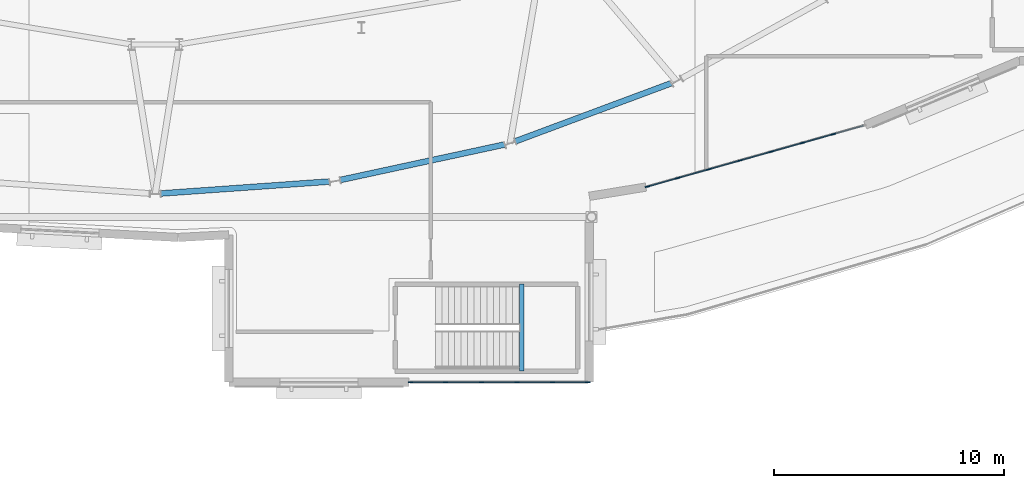
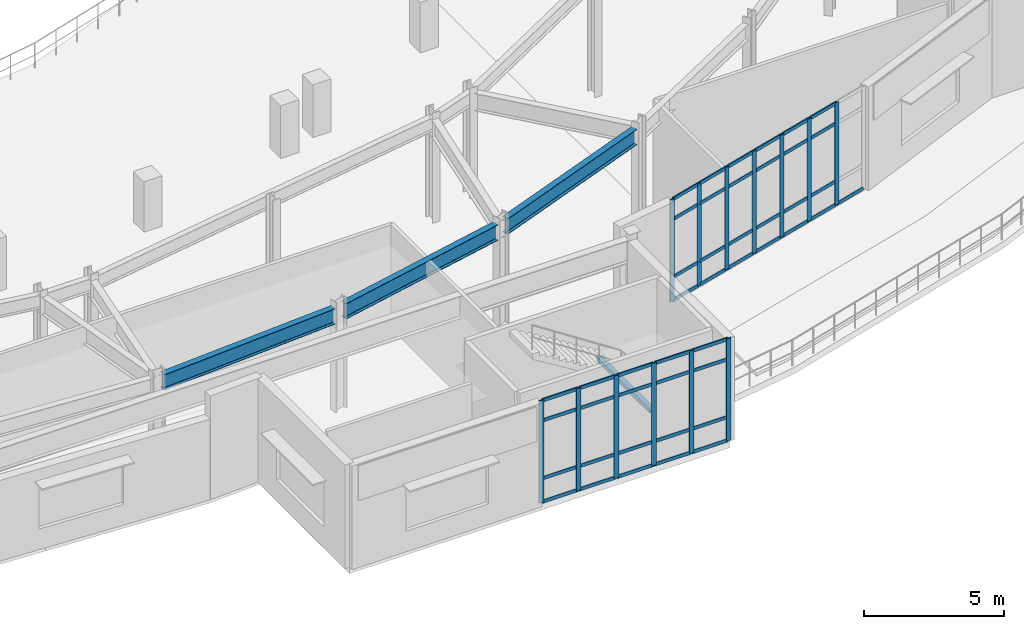
# One storey, part 33 of 84: 58 members, 4 beams, 2 elements without a shape of their own.
"""IFC4 building model written with IfcOpenShell, lengths in metres."""

from ifc_helpers import new_model, si_unit, direction, frame, origin, origin_2d, place, context, subcontext, project, spatial, rectangle, hollow_rectangle, i_section, extrude, material, material_profile, profile_set, type_object, element, aggregate, save


model = new_model("IFC4")

# Units and contexts
model_context = context("Model", 3, precision=1e-05, world=origin(), true_north=direction((0.0, 1.0)))
body_context = subcontext(model_context, "Body", "Model", "MODEL_VIEW")
ifc_project = project(units=[si_unit("LENGTHUNIT", "METRE"), si_unit("AREAUNIT", "SQUARE_METRE"), si_unit("VOLUMEUNIT", "CUBIC_METRE"), si_unit("PLANEANGLEUNIT", "RADIAN"), si_unit("MASSUNIT", "GRAM", prefix="KILO")], contexts=[model_context])

# Site, building, storey
site_placement = place(None, origin())
site = spatial("IfcSite", under=ifc_project, at=site_placement, CompositionType="ELEMENT")
building_placement = place(site_placement, origin())
building = spatial("IfcBuilding", under=site, at=building_placement, Name="Glasvene Arena", CompositionType="ELEMENT")
storey_placement = place(building_placement, frame((0.0, 0.0, 10.199951171875)))
storey = spatial("IfcBuildingStorey", under=building, at=storey_placement, Name="L02", CompositionType="ELEMENT", Elevation=10.199951171875)

# Beams
ifc_material_1 = material(Name="Steel S355J2", Category="steel")
ifc_material_profile_1 = material_profile(ifc_material_1, i_section(OverallWidth=0.253662109375, OverallDepth=0.68359375, WebThickness=0.012451171875, FlangeThickness=0.01904296875, FilletRadius=0.01513671875, at=origin_2d()), Name="UKB 686x254x140")
ifc_profile_set_1 = profile_set([ifc_material_profile_1], Name="Steel S355J2")
beam_type_1 = type_object("IfcBeamType", Name="BM-GIRD-686", PredefinedType="BEAM", material=ifc_profile_set_1)
beam_1_placement = place(storey_placement, frame((92.239501953125, 28.01708984375, 4.178466796875), z_axis=(0.997501616337, 0.070643650844, 0.0), x_axis=(-0.070643650844, 0.997501616337, 0.0)))
element("IfcBeam", 1, at=beam_1_placement, inside=storey, type_object=beam_type_1, Name="Bowl ring chord beam L02-31", PredefinedType="BEAM", context=body_context, shape_type="SweptSolid", body=[
    extrude(i_section(OverallWidth=0.253662109375, OverallDepth=0.68359375, WebThickness=0.012451171875, FlangeThickness=0.01904296875, FilletRadius=0.01513671875, at=origin_2d()), origin(), (0.0, 0.0, 1.0), 7.361083984375),
])
beam_2_placement = place(storey_placement, frame((100.056396484375, 28.604736328125, 4.178466796875), z_axis=(0.97744150895, 0.211206289161, 0.0), x_axis=(-0.211206289161, 0.97744150895, 0.0)))
element("IfcBeam", 2, at=beam_2_placement, inside=storey, type_object=beam_type_1, Name="Bowl ring chord beam L02-32", PredefinedType="BEAM", context=body_context, shape_type="SweptSolid", body=[
    extrude(i_section(OverallWidth=0.253662109375, OverallDepth=0.68359375, WebThickness=0.012451171875, FlangeThickness=0.01904296875, FilletRadius=0.01513671875, at=origin_2d()), origin(), (0.0, 0.0, 1.0), 7.3251953125),
])
beam_3_placement = place(storey_placement, frame((107.67578125, 30.286376953125, 4.178466796875), z_axis=(0.937013245498, 0.349293827259, 0.0), x_axis=(-0.349293827259, 0.937013245498, 0.0)))
element("IfcBeam", 3, at=beam_3_placement, inside=storey, type_object=beam_type_1, Name="Bowl ring chord beam L02-33", PredefinedType="BEAM", context=body_context, shape_type="SweptSolid", body=[
    extrude(i_section(OverallWidth=0.253662109375, OverallDepth=0.68359375, WebThickness=0.012451171875, FlangeThickness=0.01904296875, FilletRadius=0.01513671875, at=origin_2d()), origin(), (0.0, 0.0, 1.0), 7.255859375),
])
ifc_material_profile_2 = material_profile(ifc_material_1, hollow_rectangle(XDim=0.199951171875, YDim=0.199951171875, WallThickness=0.010009765625, at=origin_2d()), Name="SHS 200x200x10.0")
ifc_profile_set_2 = profile_set([ifc_material_profile_2], Name="Steel S355J2")
beam_type_2 = type_object("IfcBeamType", Name="BM-LINTEL-200", PredefinedType="LINTEL", material=ifc_profile_set_2)
beam_4_placement = place(storey_placement, frame((107.9599609375, 20.280029296875, 2.080078125), z_axis=(0.0, 1.0, 0.0), x_axis=(-1.0, 0.0, 0.0)))
element("IfcBeam", 4, at=beam_4_placement, inside=storey, type_object=beam_type_2, Name="Stair half-landing support beam ST-09-L02", PredefinedType="LINTEL", context=body_context, shape_type="SweptSolid", body=[
    extrude(hollow_rectangle(XDim=0.199951171875, YDim=0.199951171875, WallThickness=0.010009765625, at=origin_2d()), origin(), (0.0, 0.0, 1.0), 3.7900390625),
])

# Curtain wall, members
ifc_material_2 = material(Name="Low-emissivity laminated double glazing", Category="glass")
curtain_wall_type_1 = type_object("IfcCurtainWallType", Name="CW-FAC-L02-985x446", PredefinedType="USERDEFINED", material=ifc_material_2)
curtain_wall_1_placement = place(storey_placement, frame((122.87939453125, 30.98291015625, 0.0)))
curtain_wall_1 = element("IfcCurtainWall", 5, at=curtain_wall_1_placement, inside=storey, type_object=curtain_wall_type_1, Name="Unitised curtain wall CW-F-L02-180-1181-296-46", ObjectType="CURTAIN WALL", PredefinedType="USERDEFINED")
ifc_material_3 = material(Name="Anodised architectural aluminium", Category="aluminium")
ifc_material_profile_3 = material_profile(ifc_material_3, rectangle(XDim=0.050048828125, YDim=0.199951171875, at=origin_2d()), Name="ALU MULLION 50x200")
ifc_profile_set_3 = profile_set([ifc_material_profile_3], Name="Anodised architectural aluminium")
member_type_1 = type_object("IfcMemberType", Name="CW-MUL-180", PredefinedType="MULLION", material=ifc_profile_set_3)
member_1_placement = place(storey_placement, frame((121.525634765625, 30.600830078125, 0.06005859375), z_axis=(0.0, 0.0, 1.0), x_axis=(0.271597167979, -0.962411023599, 0.0)))
member_1 = element("IfcMember", 6, at=member_1_placement, type_object=member_type_1, Name="CW-026 mullion 2", PredefinedType="MULLION", context=body_context, shape_type="SweptSolid", body=[
    extrude(rectangle(XDim=0.050048828125, YDim=0.199951171875, at=origin_2d()), origin(), (0.0, 0.0, 1.0), 4.4599609375),
])
member_2_placement = place(storey_placement, frame((120.171875, 30.21875, 0.06005859375), z_axis=(0.0, 0.0, 1.0), x_axis=(0.271597167979, -0.962411023599, 0.0)))
member_2 = element("IfcMember", 7, at=member_2_placement, type_object=member_type_1, Name="CW-026 mullion 3", PredefinedType="MULLION", context=body_context, shape_type="SweptSolid", body=[
    extrude(rectangle(XDim=0.050048828125, YDim=0.199951171875, at=origin_2d()), origin(), (0.0, 0.0, 1.0), 4.4599609375),
])
member_3_placement = place(storey_placement, frame((118.818115234375, 29.836669921875, 0.06005859375), z_axis=(0.0, 0.0, 1.0), x_axis=(0.271597167979, -0.962411023599, 0.0)))
member_3 = element("IfcMember", 8, at=member_3_placement, type_object=member_type_1, Name="CW-026 mullion 4", PredefinedType="MULLION", context=body_context, shape_type="SweptSolid", body=[
    extrude(rectangle(XDim=0.050048828125, YDim=0.199951171875, at=origin_2d()), origin(), (0.0, 0.0, 1.0), 4.4599609375),
])
member_4_placement = place(storey_placement, frame((117.464111328125, 29.45458984375, 0.06005859375), z_axis=(0.0, 0.0, 1.0), x_axis=(0.271597167979, -0.962411023599, 0.0)))
member_4 = element("IfcMember", 9, at=member_4_placement, type_object=member_type_1, Name="CW-026 mullion 5", PredefinedType="MULLION", context=body_context, shape_type="SweptSolid", body=[
    extrude(rectangle(XDim=0.050048828125, YDim=0.199951171875, at=origin_2d()), origin(), (0.0, 0.0, 1.0), 4.4599609375),
])
member_5_placement = place(storey_placement, frame((116.1103515625, 29.072509765625, 0.06005859375), z_axis=(0.0, 0.0, 1.0), x_axis=(0.271597167979, -0.962411023599, 0.0)))
member_5 = element("IfcMember", 10, at=member_5_placement, type_object=member_type_1, Name="CW-026 mullion 6", PredefinedType="MULLION", context=body_context, shape_type="SweptSolid", body=[
    extrude(rectangle(XDim=0.050048828125, YDim=0.199951171875, at=origin_2d()), origin(), (0.0, 0.0, 1.0), 4.4599609375),
])
member_6_placement = place(storey_placement, frame((114.756591796875, 28.690673828125, 0.06005859375), z_axis=(0.0, 0.0, 1.0), x_axis=(0.271597167979, -0.962411023599, 0.0)))
member_6 = element("IfcMember", 11, at=member_6_placement, type_object=member_type_1, Name="CW-026 mullion 7", PredefinedType="MULLION", context=body_context, shape_type="SweptSolid", body=[
    extrude(rectangle(XDim=0.050048828125, YDim=0.199951171875, at=origin_2d()), origin(), (0.0, 0.0, 1.0), 4.4599609375),
])
member_7_placement = place(storey_placement, frame((113.4267578125, 28.315185546875, 0.06005859375), z_axis=(0.0, 0.0, 1.0), x_axis=(0.271597167979, -0.962411023599, 0.0)))
member_7 = element("IfcMember", 12, at=member_7_placement, type_object=member_type_1, Name="CW-026 mullion 8", PredefinedType="MULLION", context=body_context, shape_type="SweptSolid", body=[
    extrude(rectangle(XDim=0.050048828125, YDim=0.199951171875, at=origin_2d()), origin(), (0.0, 0.0, 1.0), 4.4599609375),
])

curtain_wall_type_2 = type_object("IfcCurtainWallType", Name="CW-FAC-L01-777x446", PredefinedType="USERDEFINED", material=ifc_material_2)
curtain_wall_2_placement = place(storey_placement, frame((110.860107421875, 19.800048828125, 0.0)))
curtain_wall_2 = element("IfcCurtainWall", 13, at=curtain_wall_2_placement, inside=storey, type_object=curtain_wall_type_2, Name="Unitised curtain wall CW-F-L02-180-1070-198-49", ObjectType="CURTAIN WALL", PredefinedType="USERDEFINED")
member_8_placement = place(storey_placement, frame((110.8349609375, 19.800048828125, 0.06005859375), z_axis=(0.0, 0.0, 1.0), x_axis=(0.0, -1.0, 0.0)))
member_8 = element("IfcMember", 14, at=member_8_placement, type_object=member_type_1, Name="CW-013 mullion 1", PredefinedType="MULLION", context=body_context, shape_type="SweptSolid", body=[
    extrude(rectangle(XDim=0.050048828125, YDim=0.199951171875, at=origin_2d()), origin(), (0.0, 0.0, 1.0), 4.4599609375),
])
member_9_placement = place(storey_placement, frame((109.305908203125, 19.800048828125, 0.06005859375), z_axis=(0.0, 0.0, 1.0), x_axis=(0.0, -1.0, 0.0)))
member_9 = element("IfcMember", 15, at=member_9_placement, type_object=member_type_1, Name="CW-013 mullion 2", PredefinedType="MULLION", context=body_context, shape_type="SweptSolid", body=[
    extrude(rectangle(XDim=0.050048828125, YDim=0.199951171875, at=origin_2d()), origin(), (0.0, 0.0, 1.0), 4.4599609375),
])
member_10_placement = place(storey_placement, frame((107.751953125, 19.800048828125, 0.06005859375), z_axis=(0.0, 0.0, 1.0), x_axis=(0.0, -1.0, 0.0)))
member_10 = element("IfcMember", 16, at=member_10_placement, type_object=member_type_1, Name="CW-013 mullion 3", PredefinedType="MULLION", context=body_context, shape_type="SweptSolid", body=[
    extrude(rectangle(XDim=0.050048828125, YDim=0.199951171875, at=origin_2d()), origin(), (0.0, 0.0, 1.0), 4.4599609375),
])
member_11_placement = place(storey_placement, frame((106.197998046875, 19.800048828125, 0.06005859375), z_axis=(0.0, 0.0, 1.0), x_axis=(0.0, -1.0, 0.0)))
member_11 = element("IfcMember", 17, at=member_11_placement, type_object=member_type_1, Name="CW-013 mullion 4", PredefinedType="MULLION", context=body_context, shape_type="SweptSolid", body=[
    extrude(rectangle(XDim=0.050048828125, YDim=0.199951171875, at=origin_2d()), origin(), (0.0, 0.0, 1.0), 4.4599609375),
])
member_12_placement = place(storey_placement, frame((104.64404296875, 19.800048828125, 0.06005859375), z_axis=(0.0, 0.0, 1.0), x_axis=(0.0, -1.0, 0.0)))
member_12 = element("IfcMember", 18, at=member_12_placement, type_object=member_type_1, Name="CW-013 mullion 5", PredefinedType="MULLION", context=body_context, shape_type="SweptSolid", body=[
    extrude(rectangle(XDim=0.050048828125, YDim=0.199951171875, at=origin_2d()), origin(), (0.0, 0.0, 1.0), 4.4599609375),
])
member_13_placement = place(storey_placement, frame((103.114990234375, 19.800048828125, 0.06005859375), z_axis=(0.0, 0.0, 1.0), x_axis=(0.0, -1.0, 0.0)))
member_13 = element("IfcMember", 19, at=member_13_placement, type_object=member_type_1, Name="CW-013 mullion 6", PredefinedType="MULLION", context=body_context, shape_type="SweptSolid", body=[
    extrude(rectangle(XDim=0.050048828125, YDim=0.199951171875, at=origin_2d()), origin(), (0.0, 0.0, 1.0), 4.4599609375),
])

# Member
ifc_material_profile_4 = material_profile(ifc_material_3, rectangle(XDim=0.050048828125, YDim=0.14990234375, at=origin_2d()), Name="ALU TRANSOM 50x150")
ifc_profile_set_4 = profile_set([ifc_material_profile_4], Name="Anodised architectural aluminium")
member_type_2 = type_object("IfcMemberType", Name="CW-TRN-150", PredefinedType="USERDEFINED", material=ifc_profile_set_4)
member_14_placement = place(storey_placement, frame((122.831298828125, 30.96923828125, 0.0849609375), z_axis=(-0.962425105737, -0.27154726264, 0.0), x_axis=(0.27154726264, -0.962425105737, 0.0)))
member_14 = element("IfcMember", 20, at=member_14_placement, type_object=member_type_2, Name="CW-026 transom 1.1", ObjectType="TRANSOM", PredefinedType="USERDEFINED", context=body_context, shape_type="SweptSolid", body=[
    extrude(rectangle(XDim=0.050048828125, YDim=0.14990234375, at=origin_2d()), origin(), (0.0, 0.0, 1.0), 1.33154296875),
])

member_15_placement = place(storey_placement, frame((121.501708984375, 30.593994140625, 0.0849609375), z_axis=(-0.962435210245, -0.271511447422, 0.0), x_axis=(0.271511447422, -0.962435210245, 0.0)))
member_15 = element("IfcMember", 21, at=member_15_placement, type_object=member_type_2, Name="CW-026 transom 2.1", ObjectType="TRANSOM", PredefinedType="USERDEFINED", context=body_context, shape_type="SweptSolid", body=[
    extrude(rectangle(XDim=0.050048828125, YDim=0.14990234375, at=origin_2d()), origin(), (0.0, 0.0, 1.0), 1.35693359375),
])

member_16_placement = place(storey_placement, frame((121.501708984375, 30.593994140625, 1.10009765625), z_axis=(-0.962435210245, -0.271511447422, 0.0), x_axis=(0.271511447422, -0.962435210245, 0.0)))
member_16 = element("IfcMember", 22, at=member_16_placement, type_object=member_type_2, Name="CW-026 transom 2.2", ObjectType="TRANSOM", PredefinedType="USERDEFINED", context=body_context, shape_type="SweptSolid", body=[
    extrude(rectangle(XDim=0.050048828125, YDim=0.14990234375, at=origin_2d()), origin(), (0.0, 0.0, 1.0), 1.35693359375),
])

member_17_placement = place(storey_placement, frame((121.501708984375, 30.593994140625, 3.6201171875), z_axis=(-0.962435210245, -0.271511447422, 0.0), x_axis=(0.271511447422, -0.962435210245, 0.0)))
member_17 = element("IfcMember", 23, at=member_17_placement, type_object=member_type_2, Name="CW-026 transom 2.3", ObjectType="TRANSOM", PredefinedType="USERDEFINED", context=body_context, shape_type="SweptSolid", body=[
    extrude(rectangle(XDim=0.050048828125, YDim=0.14990234375, at=origin_2d()), origin(), (0.0, 0.0, 1.0), 1.35693359375),
])

member_18_placement = place(storey_placement, frame((121.501708984375, 30.593994140625, 4.4951171875), z_axis=(-0.962435210245, -0.271511447422, 0.0), x_axis=(0.271511447422, -0.962435210245, 0.0)))
member_18 = element("IfcMember", 24, at=member_18_placement, type_object=member_type_2, Name="CW-026 transom 2.4", ObjectType="TRANSOM", PredefinedType="USERDEFINED", context=body_context, shape_type="SweptSolid", body=[
    extrude(rectangle(XDim=0.050048828125, YDim=0.14990234375, at=origin_2d()), origin(), (0.0, 0.0, 1.0), 1.35693359375),
])

member_19_placement = place(storey_placement, frame((120.147705078125, 30.2119140625, 0.0849609375), z_axis=(-0.962421942778, -0.271558472635, 0.0), x_axis=(0.271558472635, -0.962421942778, 0.0)))
member_19 = element("IfcMember", 25, at=member_19_placement, type_object=member_type_2, Name="CW-026 transom 3.1", ObjectType="TRANSOM", PredefinedType="USERDEFINED", context=body_context, shape_type="SweptSolid", body=[
    extrude(rectangle(XDim=0.050048828125, YDim=0.14990234375, at=origin_2d()), origin(), (0.0, 0.0, 1.0), 1.356689453125),
])

member_20_placement = place(storey_placement, frame((120.147705078125, 30.2119140625, 1.10009765625), z_axis=(-0.962421942778, -0.271558472635, 0.0), x_axis=(0.271558472635, -0.962421942778, 0.0)))
member_20 = element("IfcMember", 26, at=member_20_placement, type_object=member_type_2, Name="CW-026 transom 3.2", ObjectType="TRANSOM", PredefinedType="USERDEFINED", context=body_context, shape_type="SweptSolid", body=[
    extrude(rectangle(XDim=0.050048828125, YDim=0.14990234375, at=origin_2d()), origin(), (0.0, 0.0, 1.0), 1.356689453125),
])

member_21_placement = place(storey_placement, frame((120.147705078125, 30.2119140625, 3.6201171875), z_axis=(-0.962421942778, -0.271558472635, 0.0), x_axis=(0.271558472635, -0.962421942778, 0.0)))
member_21 = element("IfcMember", 27, at=member_21_placement, type_object=member_type_2, Name="CW-026 transom 3.3", ObjectType="TRANSOM", PredefinedType="USERDEFINED", context=body_context, shape_type="SweptSolid", body=[
    extrude(rectangle(XDim=0.050048828125, YDim=0.14990234375, at=origin_2d()), origin(), (0.0, 0.0, 1.0), 1.356689453125),
])

member_22_placement = place(storey_placement, frame((120.147705078125, 30.2119140625, 4.4951171875), z_axis=(-0.962421942778, -0.271558472635, 0.0), x_axis=(0.271558472635, -0.962421942778, 0.0)))
member_22 = element("IfcMember", 28, at=member_22_placement, type_object=member_type_2, Name="CW-026 transom 3.4", ObjectType="TRANSOM", PredefinedType="USERDEFINED", context=body_context, shape_type="SweptSolid", body=[
    extrude(rectangle(XDim=0.050048828125, YDim=0.14990234375, at=origin_2d()), origin(), (0.0, 0.0, 1.0), 1.356689453125),
])

member_23_placement = place(storey_placement, frame((118.7939453125, 29.829833984375, 0.0849609375), z_axis=(-0.962421942778, -0.271558472635, 0.0), x_axis=(0.271558472635, -0.962421942778, 0.0)))
member_23 = element("IfcMember", 29, at=member_23_placement, type_object=member_type_2, Name="CW-026 transom 4.1", ObjectType="TRANSOM", PredefinedType="USERDEFINED", context=body_context, shape_type="SweptSolid", body=[
    extrude(rectangle(XDim=0.050048828125, YDim=0.14990234375, at=origin_2d()), origin(), (0.0, 0.0, 1.0), 1.356689453125),
])

member_24_placement = place(storey_placement, frame((118.7939453125, 29.829833984375, 1.10009765625), z_axis=(-0.962421942778, -0.271558472635, 0.0), x_axis=(0.271558472635, -0.962421942778, 0.0)))
member_24 = element("IfcMember", 30, at=member_24_placement, type_object=member_type_2, Name="CW-026 transom 4.2", ObjectType="TRANSOM", PredefinedType="USERDEFINED", context=body_context, shape_type="SweptSolid", body=[
    extrude(rectangle(XDim=0.050048828125, YDim=0.14990234375, at=origin_2d()), origin(), (0.0, 0.0, 1.0), 1.356689453125),
])

member_25_placement = place(storey_placement, frame((118.7939453125, 29.829833984375, 3.6201171875), z_axis=(-0.962421942778, -0.271558472635, 0.0), x_axis=(0.271558472635, -0.962421942778, 0.0)))
member_25 = element("IfcMember", 31, at=member_25_placement, type_object=member_type_2, Name="CW-026 transom 4.3", ObjectType="TRANSOM", PredefinedType="USERDEFINED", context=body_context, shape_type="SweptSolid", body=[
    extrude(rectangle(XDim=0.050048828125, YDim=0.14990234375, at=origin_2d()), origin(), (0.0, 0.0, 1.0), 1.356689453125),
])

member_26_placement = place(storey_placement, frame((118.7939453125, 29.829833984375, 4.4951171875), z_axis=(-0.962421942778, -0.271558472635, 0.0), x_axis=(0.271558472635, -0.962421942778, 0.0)))
member_26 = element("IfcMember", 32, at=member_26_placement, type_object=member_type_2, Name="CW-026 transom 4.4", ObjectType="TRANSOM", PredefinedType="USERDEFINED", context=body_context, shape_type="SweptSolid", body=[
    extrude(rectangle(XDim=0.050048828125, YDim=0.14990234375, at=origin_2d()), origin(), (0.0, 0.0, 1.0), 1.356689453125),
])

member_27_placement = place(storey_placement, frame((117.440185546875, 29.447998046875, 0.0849609375), z_axis=(-0.96237489761, -0.271725148727, 0.0), x_axis=(0.271725148727, -0.96237489761, 0.0)))
member_27 = element("IfcMember", 33, at=member_27_placement, type_object=member_type_2, Name="CW-026 transom 5.1", ObjectType="TRANSOM", PredefinedType="USERDEFINED", context=body_context, shape_type="SweptSolid", body=[
    extrude(rectangle(XDim=0.050048828125, YDim=0.14990234375, at=origin_2d()), origin(), (0.0, 0.0, 1.0), 1.356689453125),
])

member_28_placement = place(storey_placement, frame((117.440185546875, 29.447998046875, 1.10009765625), z_axis=(-0.96237489761, -0.271725148727, 0.0), x_axis=(0.271725148727, -0.96237489761, 0.0)))
member_28 = element("IfcMember", 34, at=member_28_placement, type_object=member_type_2, Name="CW-026 transom 5.2", ObjectType="TRANSOM", PredefinedType="USERDEFINED", context=body_context, shape_type="SweptSolid", body=[
    extrude(rectangle(XDim=0.050048828125, YDim=0.14990234375, at=origin_2d()), origin(), (0.0, 0.0, 1.0), 1.356689453125),
])

member_29_placement = place(storey_placement, frame((117.440185546875, 29.447998046875, 3.6201171875), z_axis=(-0.96237489761, -0.271725148727, 0.0), x_axis=(0.271725148727, -0.96237489761, 0.0)))
member_29 = element("IfcMember", 35, at=member_29_placement, type_object=member_type_2, Name="CW-026 transom 5.3", ObjectType="TRANSOM", PredefinedType="USERDEFINED", context=body_context, shape_type="SweptSolid", body=[
    extrude(rectangle(XDim=0.050048828125, YDim=0.14990234375, at=origin_2d()), origin(), (0.0, 0.0, 1.0), 1.356689453125),
])

member_30_placement = place(storey_placement, frame((117.440185546875, 29.447998046875, 4.4951171875), z_axis=(-0.96237489761, -0.271725148727, 0.0), x_axis=(0.271725148727, -0.96237489761, 0.0)))
member_30 = element("IfcMember", 36, at=member_30_placement, type_object=member_type_2, Name="CW-026 transom 5.4", ObjectType="TRANSOM", PredefinedType="USERDEFINED", context=body_context, shape_type="SweptSolid", body=[
    extrude(rectangle(XDim=0.050048828125, YDim=0.14990234375, at=origin_2d()), origin(), (0.0, 0.0, 1.0), 1.356689453125),
])

member_31_placement = place(storey_placement, frame((116.086181640625, 29.06591796875, 0.0849609375), z_axis=(-0.96237489761, -0.271725148727, 0.0), x_axis=(0.271725148727, -0.96237489761, 0.0)))
member_31 = element("IfcMember", 37, at=member_31_placement, type_object=member_type_2, Name="CW-026 transom 6.1", ObjectType="TRANSOM", PredefinedType="USERDEFINED", context=body_context, shape_type="SweptSolid", body=[
    extrude(rectangle(XDim=0.050048828125, YDim=0.14990234375, at=origin_2d()), origin(), (0.0, 0.0, 1.0), 1.356689453125),
])

member_32_placement = place(storey_placement, frame((116.086181640625, 29.06591796875, 1.10009765625), z_axis=(-0.96237489761, -0.271725148727, 0.0), x_axis=(0.271725148727, -0.96237489761, 0.0)))
member_32 = element("IfcMember", 38, at=member_32_placement, type_object=member_type_2, Name="CW-026 transom 6.2", ObjectType="TRANSOM", PredefinedType="USERDEFINED", context=body_context, shape_type="SweptSolid", body=[
    extrude(rectangle(XDim=0.050048828125, YDim=0.14990234375, at=origin_2d()), origin(), (0.0, 0.0, 1.0), 1.356689453125),
])

member_33_placement = place(storey_placement, frame((116.086181640625, 29.06591796875, 3.6201171875), z_axis=(-0.96237489761, -0.271725148727, 0.0), x_axis=(0.271725148727, -0.96237489761, 0.0)))
member_33 = element("IfcMember", 39, at=member_33_placement, type_object=member_type_2, Name="CW-026 transom 6.3", ObjectType="TRANSOM", PredefinedType="USERDEFINED", context=body_context, shape_type="SweptSolid", body=[
    extrude(rectangle(XDim=0.050048828125, YDim=0.14990234375, at=origin_2d()), origin(), (0.0, 0.0, 1.0), 1.356689453125),
])

member_34_placement = place(storey_placement, frame((116.086181640625, 29.06591796875, 4.4951171875), z_axis=(-0.96237489761, -0.271725148727, 0.0), x_axis=(0.271725148727, -0.96237489761, 0.0)))
member_34 = element("IfcMember", 40, at=member_34_placement, type_object=member_type_2, Name="CW-026 transom 6.4", ObjectType="TRANSOM", PredefinedType="USERDEFINED", context=body_context, shape_type="SweptSolid", body=[
    extrude(rectangle(XDim=0.050048828125, YDim=0.14990234375, at=origin_2d()), origin(), (0.0, 0.0, 1.0), 1.356689453125),
])

member_35_placement = place(storey_placement, frame((114.732421875, 28.683837890625, 0.0849609375), z_axis=(-0.962377174692, -0.271717083805, 0.0), x_axis=(0.271717083805, -0.962377174692, 0.0)))
member_35 = element("IfcMember", 41, at=member_35_placement, type_object=member_type_2, Name="CW-026 transom 7.1", ObjectType="TRANSOM", PredefinedType="USERDEFINED", context=body_context, shape_type="SweptSolid", body=[
    extrude(rectangle(XDim=0.050048828125, YDim=0.14990234375, at=origin_2d()), origin(), (0.0, 0.0, 1.0), 1.33154296875),
])

member_36_placement = place(storey_placement, frame((114.732421875, 28.683837890625, 1.10009765625), z_axis=(-0.962377174692, -0.271717083805, 0.0), x_axis=(0.271717083805, -0.962377174692, 0.0)))
member_36 = element("IfcMember", 42, at=member_36_placement, type_object=member_type_2, Name="CW-026 transom 7.2", ObjectType="TRANSOM", PredefinedType="USERDEFINED", context=body_context, shape_type="SweptSolid", body=[
    extrude(rectangle(XDim=0.050048828125, YDim=0.14990234375, at=origin_2d()), origin(), (0.0, 0.0, 1.0), 1.33154296875),
])

member_37_placement = place(storey_placement, frame((114.732421875, 28.683837890625, 3.6201171875), z_axis=(-0.962377174692, -0.271717083805, 0.0), x_axis=(0.271717083805, -0.962377174692, 0.0)))
member_37 = element("IfcMember", 43, at=member_37_placement, type_object=member_type_2, Name="CW-026 transom 7.3", ObjectType="TRANSOM", PredefinedType="USERDEFINED", context=body_context, shape_type="SweptSolid", body=[
    extrude(rectangle(XDim=0.050048828125, YDim=0.14990234375, at=origin_2d()), origin(), (0.0, 0.0, 1.0), 1.33154296875),
])

member_38_placement = place(storey_placement, frame((114.732421875, 28.683837890625, 4.4951171875), z_axis=(-0.962377174692, -0.271717083805, 0.0), x_axis=(0.271717083805, -0.962377174692, 0.0)))
member_38 = element("IfcMember", 44, at=member_38_placement, type_object=member_type_2, Name="CW-026 transom 7.4", ObjectType="TRANSOM", PredefinedType="USERDEFINED", context=body_context, shape_type="SweptSolid", body=[
    extrude(rectangle(XDim=0.050048828125, YDim=0.14990234375, at=origin_2d()), origin(), (0.0, 0.0, 1.0), 1.33154296875),
])

aggregate(curtain_wall_1, [member_1, member_2, member_3, member_4, member_5, member_6, member_7, member_14, member_15, member_16, member_17, member_18, member_19, member_20, member_21, member_22, member_23, member_24, member_25, member_26, member_27, member_28, member_29, member_30, member_31, member_32, member_33, member_34, member_35, member_36, member_37, member_38])

member_39_placement = place(storey_placement, frame((110.81005859375, 19.800048828125, 0.0849609375), z_axis=(-1.0, 0.0, 0.0), x_axis=(0.0, -1.0, 0.0)))
member_39 = element("IfcMember", 45, at=member_39_placement, type_object=member_type_2, Name="CW-013 transom 1.1", ObjectType="TRANSOM", PredefinedType="USERDEFINED", context=body_context, shape_type="SweptSolid", body=[
    extrude(rectangle(XDim=0.050048828125, YDim=0.14990234375, at=origin_2d()), origin(), (0.0, 0.0, 1.0), 1.47900390625),
])

member_40_placement = place(storey_placement, frame((110.81005859375, 19.800048828125, 1.10009765625), z_axis=(-1.0, 0.0, 0.0), x_axis=(0.0, -1.0, 0.0)))
member_40 = element("IfcMember", 46, at=member_40_placement, type_object=member_type_2, Name="CW-013 transom 1.2", ObjectType="TRANSOM", PredefinedType="USERDEFINED", context=body_context, shape_type="SweptSolid", body=[
    extrude(rectangle(XDim=0.050048828125, YDim=0.14990234375, at=origin_2d()), origin(), (0.0, 0.0, 1.0), 1.47900390625),
])

member_41_placement = place(storey_placement, frame((110.81005859375, 19.800048828125, 3.6201171875), z_axis=(-1.0, 0.0, 0.0), x_axis=(0.0, -1.0, 0.0)))
member_41 = element("IfcMember", 47, at=member_41_placement, type_object=member_type_2, Name="CW-013 transom 1.3", ObjectType="TRANSOM", PredefinedType="USERDEFINED", context=body_context, shape_type="SweptSolid", body=[
    extrude(rectangle(XDim=0.050048828125, YDim=0.14990234375, at=origin_2d()), origin(), (0.0, 0.0, 1.0), 1.47900390625),
])

member_42_placement = place(storey_placement, frame((110.81005859375, 19.800048828125, 4.4951171875), z_axis=(-1.0, 0.0, 0.0), x_axis=(0.0, -1.0, 0.0)))
member_42 = element("IfcMember", 48, at=member_42_placement, type_object=member_type_2, Name="CW-013 transom 1.4", ObjectType="TRANSOM", PredefinedType="USERDEFINED", context=body_context, shape_type="SweptSolid", body=[
    extrude(rectangle(XDim=0.050048828125, YDim=0.14990234375, at=origin_2d()), origin(), (0.0, 0.0, 1.0), 1.47900390625),
])

member_43_placement = place(storey_placement, frame((109.281005859375, 19.800048828125, 0.0849609375), z_axis=(-1.0, 0.0, 0.0), x_axis=(0.0, -1.0, 0.0)))
member_43 = element("IfcMember", 49, at=member_43_placement, type_object=member_type_2, Name="CW-013 transom 2.1", ObjectType="TRANSOM", PredefinedType="USERDEFINED", context=body_context, shape_type="SweptSolid", body=[
    extrude(rectangle(XDim=0.050048828125, YDim=0.14990234375, at=origin_2d()), origin(), (0.0, 0.0, 1.0), 1.50390625),
])

member_44_placement = place(storey_placement, frame((109.281005859375, 19.800048828125, 1.10009765625), z_axis=(-1.0, 0.0, 0.0), x_axis=(0.0, -1.0, 0.0)))
member_44 = element("IfcMember", 50, at=member_44_placement, type_object=member_type_2, Name="CW-013 transom 2.2", ObjectType="TRANSOM", PredefinedType="USERDEFINED", context=body_context, shape_type="SweptSolid", body=[
    extrude(rectangle(XDim=0.050048828125, YDim=0.14990234375, at=origin_2d()), origin(), (0.0, 0.0, 1.0), 1.50390625),
])

member_45_placement = place(storey_placement, frame((109.281005859375, 19.800048828125, 3.6201171875), z_axis=(-1.0, 0.0, 0.0), x_axis=(0.0, -1.0, 0.0)))
member_45 = element("IfcMember", 51, at=member_45_placement, type_object=member_type_2, Name="CW-013 transom 2.3", ObjectType="TRANSOM", PredefinedType="USERDEFINED", context=body_context, shape_type="SweptSolid", body=[
    extrude(rectangle(XDim=0.050048828125, YDim=0.14990234375, at=origin_2d()), origin(), (0.0, 0.0, 1.0), 1.50390625),
])

member_46_placement = place(storey_placement, frame((109.281005859375, 19.800048828125, 4.4951171875), z_axis=(-1.0, 0.0, 0.0), x_axis=(0.0, -1.0, 0.0)))
member_46 = element("IfcMember", 52, at=member_46_placement, type_object=member_type_2, Name="CW-013 transom 2.4", ObjectType="TRANSOM", PredefinedType="USERDEFINED", context=body_context, shape_type="SweptSolid", body=[
    extrude(rectangle(XDim=0.050048828125, YDim=0.14990234375, at=origin_2d()), origin(), (0.0, 0.0, 1.0), 1.50390625),
])

member_47_placement = place(storey_placement, frame((107.72705078125, 19.800048828125, 0.0849609375), z_axis=(-1.0, 0.0, 0.0), x_axis=(0.0, -1.0, 0.0)))
member_47 = element("IfcMember", 53, at=member_47_placement, type_object=member_type_2, Name="CW-013 transom 3.1", ObjectType="TRANSOM", PredefinedType="USERDEFINED", context=body_context, shape_type="SweptSolid", body=[
    extrude(rectangle(XDim=0.050048828125, YDim=0.14990234375, at=origin_2d()), origin(), (0.0, 0.0, 1.0), 1.504150390625),
])

member_48_placement = place(storey_placement, frame((107.72705078125, 19.800048828125, 1.10009765625), z_axis=(-1.0, 0.0, 0.0), x_axis=(0.0, -1.0, 0.0)))
member_48 = element("IfcMember", 54, at=member_48_placement, type_object=member_type_2, Name="CW-013 transom 3.2", ObjectType="TRANSOM", PredefinedType="USERDEFINED", context=body_context, shape_type="SweptSolid", body=[
    extrude(rectangle(XDim=0.050048828125, YDim=0.14990234375, at=origin_2d()), origin(), (0.0, 0.0, 1.0), 1.504150390625),
])

member_49_placement = place(storey_placement, frame((107.72705078125, 19.800048828125, 3.6201171875), z_axis=(-1.0, 0.0, 0.0), x_axis=(0.0, -1.0, 0.0)))
member_49 = element("IfcMember", 55, at=member_49_placement, type_object=member_type_2, Name="CW-013 transom 3.3", ObjectType="TRANSOM", PredefinedType="USERDEFINED", context=body_context, shape_type="SweptSolid", body=[
    extrude(rectangle(XDim=0.050048828125, YDim=0.14990234375, at=origin_2d()), origin(), (0.0, 0.0, 1.0), 1.504150390625),
])

member_50_placement = place(storey_placement, frame((107.72705078125, 19.800048828125, 4.4951171875), z_axis=(-1.0, 0.0, 0.0), x_axis=(0.0, -1.0, 0.0)))
member_50 = element("IfcMember", 56, at=member_50_placement, type_object=member_type_2, Name="CW-013 transom 3.4", ObjectType="TRANSOM", PredefinedType="USERDEFINED", context=body_context, shape_type="SweptSolid", body=[
    extrude(rectangle(XDim=0.050048828125, YDim=0.14990234375, at=origin_2d()), origin(), (0.0, 0.0, 1.0), 1.504150390625),
])

member_51_placement = place(storey_placement, frame((106.173095703125, 19.800048828125, 0.0849609375), z_axis=(-1.0, 0.0, 0.0), x_axis=(0.0, -1.0, 0.0)))
member_51 = element("IfcMember", 57, at=member_51_placement, type_object=member_type_2, Name="CW-013 transom 4.1", ObjectType="TRANSOM", PredefinedType="USERDEFINED", context=body_context, shape_type="SweptSolid", body=[
    extrude(rectangle(XDim=0.050048828125, YDim=0.14990234375, at=origin_2d()), origin(), (0.0, 0.0, 1.0), 1.504150390625),
])

member_52_placement = place(storey_placement, frame((106.173095703125, 19.800048828125, 1.10009765625), z_axis=(-1.0, 0.0, 0.0), x_axis=(0.0, -1.0, 0.0)))
member_52 = element("IfcMember", 58, at=member_52_placement, type_object=member_type_2, Name="CW-013 transom 4.2", ObjectType="TRANSOM", PredefinedType="USERDEFINED", context=body_context, shape_type="SweptSolid", body=[
    extrude(rectangle(XDim=0.050048828125, YDim=0.14990234375, at=origin_2d()), origin(), (0.0, 0.0, 1.0), 1.504150390625),
])

member_53_placement = place(storey_placement, frame((106.173095703125, 19.800048828125, 3.6201171875), z_axis=(-1.0, 0.0, 0.0), x_axis=(0.0, -1.0, 0.0)))
member_53 = element("IfcMember", 59, at=member_53_placement, type_object=member_type_2, Name="CW-013 transom 4.3", ObjectType="TRANSOM", PredefinedType="USERDEFINED", context=body_context, shape_type="SweptSolid", body=[
    extrude(rectangle(XDim=0.050048828125, YDim=0.14990234375, at=origin_2d()), origin(), (0.0, 0.0, 1.0), 1.504150390625),
])

member_54_placement = place(storey_placement, frame((106.173095703125, 19.800048828125, 4.4951171875), z_axis=(-1.0, 0.0, 0.0), x_axis=(0.0, -1.0, 0.0)))
member_54 = element("IfcMember", 60, at=member_54_placement, type_object=member_type_2, Name="CW-013 transom 4.4", ObjectType="TRANSOM", PredefinedType="USERDEFINED", context=body_context, shape_type="SweptSolid", body=[
    extrude(rectangle(XDim=0.050048828125, YDim=0.14990234375, at=origin_2d()), origin(), (0.0, 0.0, 1.0), 1.504150390625),
])

member_55_placement = place(storey_placement, frame((104.618896484375, 19.800048828125, 0.0849609375), z_axis=(-1.0, 0.0, 0.0), x_axis=(0.0, -1.0, 0.0)))
member_55 = element("IfcMember", 61, at=member_55_placement, type_object=member_type_2, Name="CW-013 transom 5.1", ObjectType="TRANSOM", PredefinedType="USERDEFINED", context=body_context, shape_type="SweptSolid", body=[
    extrude(rectangle(XDim=0.050048828125, YDim=0.14990234375, at=origin_2d()), origin(), (0.0, 0.0, 1.0), 1.47900390625),
])

member_56_placement = place(storey_placement, frame((104.618896484375, 19.800048828125, 1.10009765625), z_axis=(-1.0, 0.0, 0.0), x_axis=(0.0, -1.0, 0.0)))
member_56 = element("IfcMember", 62, at=member_56_placement, type_object=member_type_2, Name="CW-013 transom 5.2", ObjectType="TRANSOM", PredefinedType="USERDEFINED", context=body_context, shape_type="SweptSolid", body=[
    extrude(rectangle(XDim=0.050048828125, YDim=0.14990234375, at=origin_2d()), origin(), (0.0, 0.0, 1.0), 1.47900390625),
])

member_57_placement = place(storey_placement, frame((104.618896484375, 19.800048828125, 3.6201171875), z_axis=(-1.0, 0.0, 0.0), x_axis=(0.0, -1.0, 0.0)))
member_57 = element("IfcMember", 63, at=member_57_placement, type_object=member_type_2, Name="CW-013 transom 5.3", ObjectType="TRANSOM", PredefinedType="USERDEFINED", context=body_context, shape_type="SweptSolid", body=[
    extrude(rectangle(XDim=0.050048828125, YDim=0.14990234375, at=origin_2d()), origin(), (0.0, 0.0, 1.0), 1.47900390625),
])

member_58_placement = place(storey_placement, frame((104.618896484375, 19.800048828125, 4.4951171875), z_axis=(-1.0, 0.0, 0.0), x_axis=(0.0, -1.0, 0.0)))
member_58 = element("IfcMember", 64, at=member_58_placement, type_object=member_type_2, Name="CW-013 transom 5.4", ObjectType="TRANSOM", PredefinedType="USERDEFINED", context=body_context, shape_type="SweptSolid", body=[
    extrude(rectangle(XDim=0.050048828125, YDim=0.14990234375, at=origin_2d()), origin(), (0.0, 0.0, 1.0), 1.47900390625),
])

aggregate(curtain_wall_2, [member_8, member_9, member_10, member_11, member_12, member_13, member_39, member_40, member_41, member_42, member_43, member_44, member_45, member_46, member_47, member_48, member_49, member_50, member_51, member_52, member_53, member_54, member_55, member_56, member_57, member_58])

save(model, "model.ifc")
